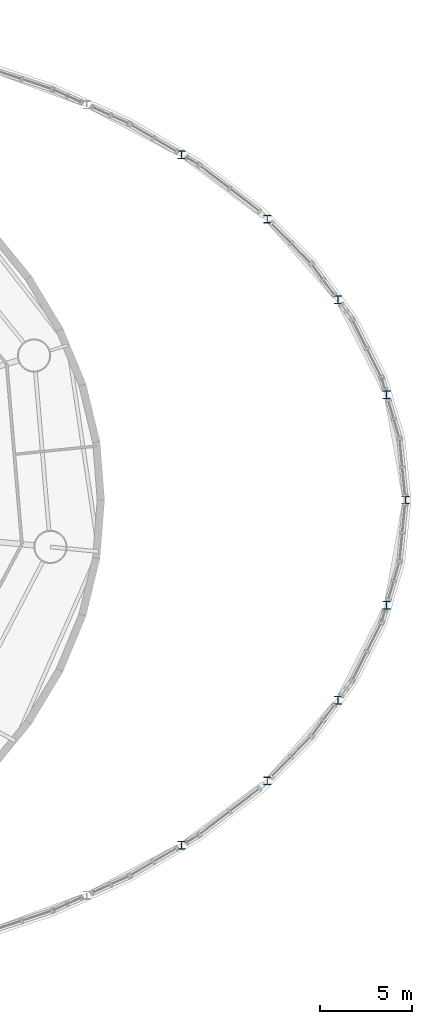
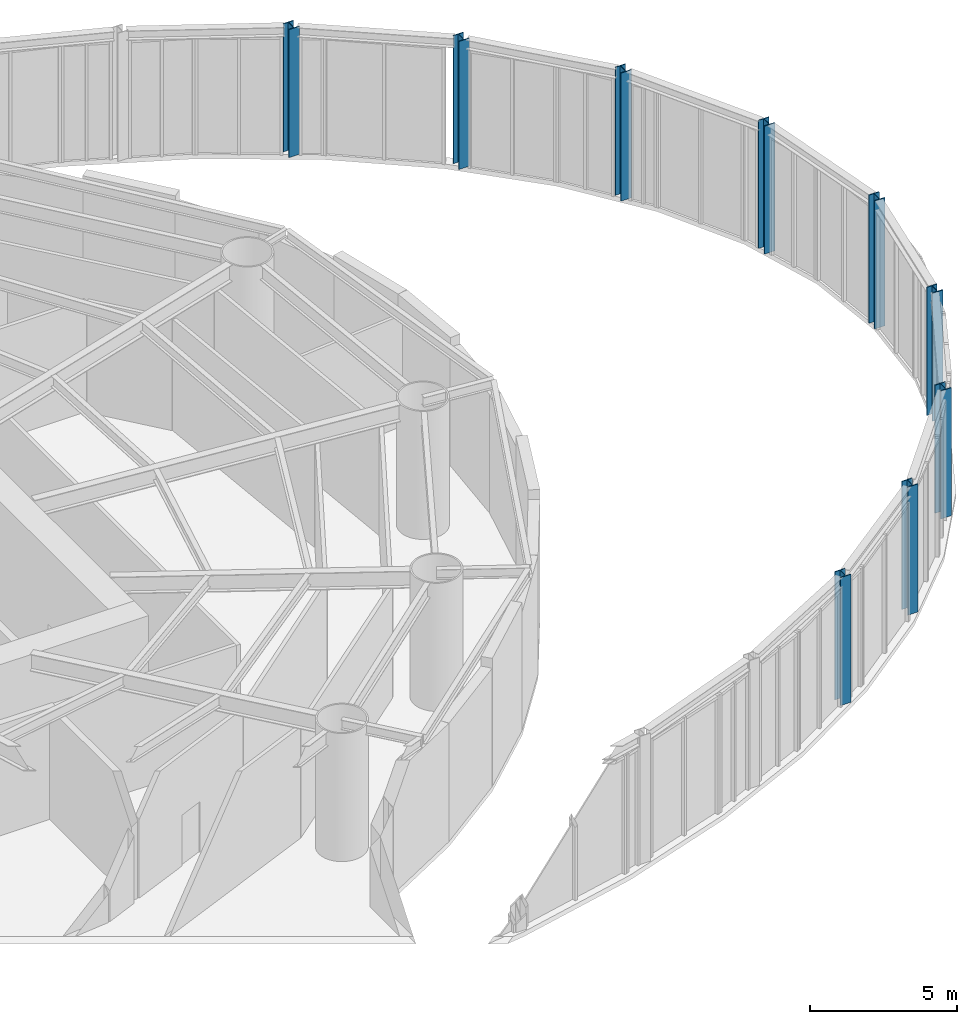
# One storey, part 3 of 19: 9 columns.
"""IFC4 building model written with IfcOpenShell, lengths in metres."""

from ifc_helpers import new_model, si_unit, direction, frame, origin, origin_2d, place, context, subcontext, project, spatial, i_section, extrude, material, material_profile, profile_set, type_object, element, save


model = new_model("IFC4")

# Units and contexts
model_context = context("Model", 3, precision=1e-05, world=origin(), true_north=direction((0.0, 1.0)))
body_context = subcontext(model_context, "Body", "Model", "MODEL_VIEW")
ifc_project = project(units=[si_unit("LENGTHUNIT", "METRE"), si_unit("AREAUNIT", "SQUARE_METRE"), si_unit("VOLUMEUNIT", "CUBIC_METRE"), si_unit("PLANEANGLEUNIT", "RADIAN"), si_unit("MASSUNIT", "GRAM", prefix="KILO")], contexts=[model_context])

# Site, building, storey
site_placement = place(None, origin())
site = spatial("IfcSite", under=ifc_project, at=site_placement, CompositionType="ELEMENT")
building_placement = place(site_placement, origin())
building = spatial("IfcBuilding", under=site, at=building_placement, Name="Vermilion Reach Broadcast Tower", CompositionType="ELEMENT")
storey_placement = place(building_placement, frame((0.0, 0.0, 26.0)))
storey = spatial("IfcBuildingStorey", under=building, at=storey_placement, Name="L03", CompositionType="ELEMENT", Elevation=26.0)

# Columns
ifc_material = material(Name="Steel S460NL", Category="steel")
ifc_material_profile = material_profile(ifc_material, i_section(OverallWidth=0.406982421875, OverallDepth=0.427978515625, WebThickness=0.02001953125, FlangeThickness=0.034912109375, at=origin_2d()), Name="S460NL HW 428x407x20x35")
ifc_profile_set = profile_set([ifc_material_profile], Name="Steel S460NL")
column_type = type_object("IfcColumnType", Name="AP HW 428x407x20x35", PredefinedType="COLUMN", material=ifc_profile_set)
for number, where, z_axis, x_axis, name in (
    (1, (27.570556640625, -18.70068359375, 0.0), (0.0, 0.0, 1.0), (1.0, 0.0, 0.0), "Atrium post AP04"),
    (2, (32.211669921875, -15.213134765625, 0.0), (0.0, 0.0, 1.0), (1.0, 0.0, 0.0), "Atrium post AP05"),
    (3, (36.033935546875, -10.847412109375, 0.0), (0.0, 0.0, 1.0), (1.0, 0.0, 0.0), "Atrium post AP06"),
    (4, (38.6767578125, -5.701416015625, 0.0), (0.0, 0.0, 1.0), (1.0, 0.0, 0.0), "Atrium post AP07"),
    (5, (39.699951171875, 0.0, 0.0), (0.0, 0.0, 1.0), (1.0, 0.0, 0.0), "Atrium post AP08"),
    (6, (38.6767578125, 5.701416015625, 0.0), (0.0, 0.0, 1.0), (1.0, 0.0, 0.0), "Atrium post AP09"),
    (7, (36.033935546875, 10.847412109375, 0.0), (0.0, 0.0, 1.0), (1.0, 0.0, 0.0), "Atrium post AP10"),
    (8, (32.211669921875, 15.213134765625, 0.0), (0.0, 0.0, 1.0), (1.0, 0.0, 0.0), "Atrium post AP11"),
    (9, (27.570556640625, 18.70068359375, 0.0), (0.0, 0.0, 1.0), (1.0, 0.0, 0.0), "Atrium post AP12"),
):
    element("IfcColumn", number, at=place(storey_placement, frame(where, z_axis=z_axis, x_axis=x_axis)), inside=storey, type_object=column_type, Name=name, PredefinedType="COLUMN", context=body_context, shape_type="SweptSolid", body=[
        extrude(i_section(OverallWidth=0.406982421875, OverallDepth=0.427978515625, WebThickness=0.02001953125, FlangeThickness=0.034912109375, at=origin_2d()), origin(), (0.0, 0.0, 1.0), 5.300048828125),
    ])

save(model, "model.ifc")
